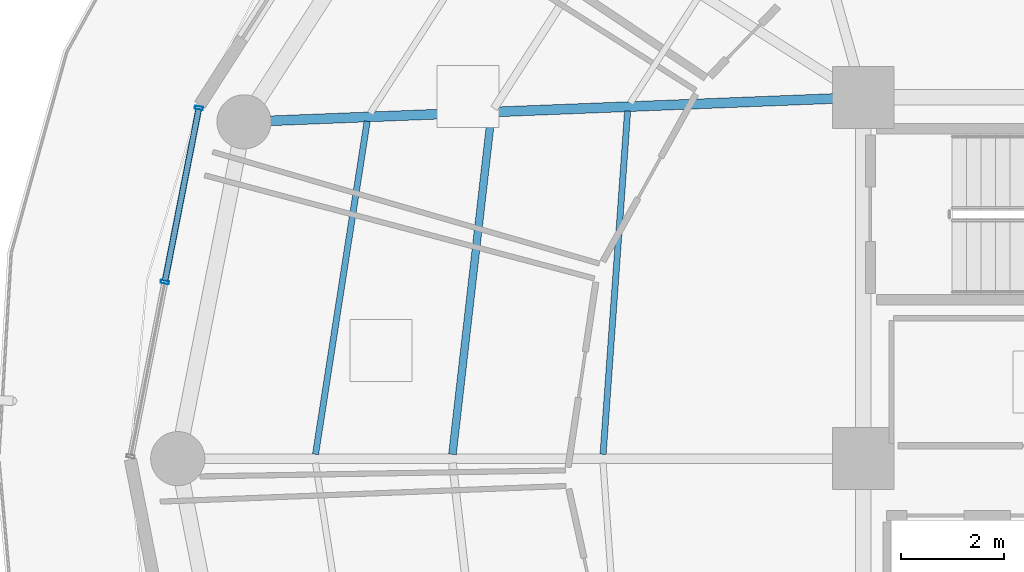
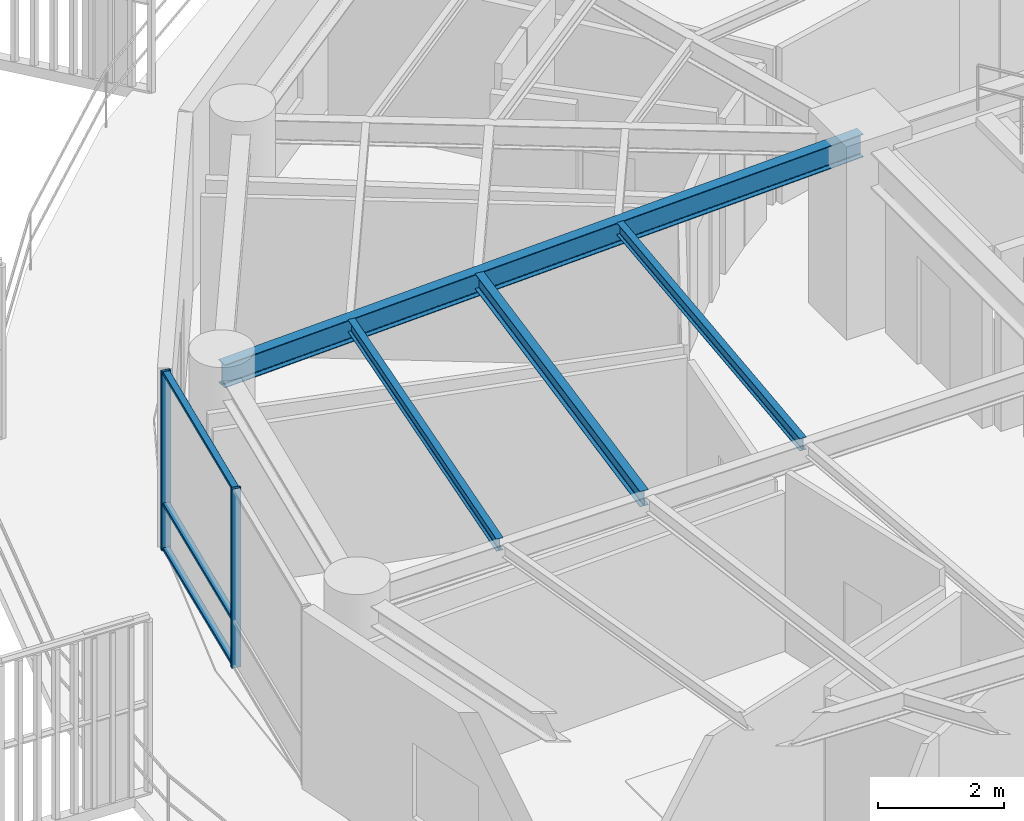
# One storey, part 8 of 30: 5 members, 4 beams, 1 element without a shape of its own.
"""IFC4 building model written with IfcOpenShell, lengths in metres."""

from ifc_helpers import new_model, si_unit, direction, frame, origin, origin_2d, place, context, subcontext, project, spatial, hollow_rectangle, i_section, extrude, material, layer, layer_set, material_profile, profile_set, type_object, element, aggregate, save


model = new_model("IFC4")

# Units and contexts
model_context = context("Model", 3, precision=1e-05, world=origin(), true_north=direction((0.0, 1.0)))
body_context = subcontext(model_context, "Body", "Model", "MODEL_VIEW")
ifc_project = project(units=[si_unit("LENGTHUNIT", "METRE"), si_unit("AREAUNIT", "SQUARE_METRE"), si_unit("VOLUMEUNIT", "CUBIC_METRE"), si_unit("PLANEANGLEUNIT", "RADIAN"), si_unit("MASSUNIT", "GRAM", prefix="KILO")], contexts=[model_context])

# Site, building, storey
site_placement = place(None, origin())
site = spatial("IfcSite", under=ifc_project, at=site_placement, CompositionType="ELEMENT")
building_placement = place(site_placement, origin())
building = spatial("IfcBuilding", under=site, at=building_placement, Name="Kelanora Arch Commons", CompositionType="ELEMENT")
storey_placement = place(building_placement, frame((0.0, 0.0, 208.199951171875)))
storey = spatial("IfcBuildingStorey", under=building, at=storey_placement, Name="L53", CompositionType="ELEMENT", Elevation=208.199951171875)

# Beams
ifc_material_1 = material(Name="Steel S355", Category="steel")
ifc_material_profile_1 = material_profile(ifc_material_1, i_section(OverallWidth=0.14990234375, OverallDepth=0.300048828125, WebThickness=0.007080078125, FlangeThickness=0.0107421875, FilletRadius=0.014892578125, at=origin_2d()), Name="IPE300")
ifc_profile_set_1 = profile_set([ifc_material_profile_1], Name="Steel S355")
beam_type_1 = type_object("IfcBeamType", Name="BM-JST-01", PredefinedType="JOIST", material=ifc_profile_set_1)
beam_1_placement = place(storey_placement, frame((58.792236328125, 64.631103515625, 3.340087890625), z_axis=(-0.113891408177, -0.993493204377, 0.0), x_axis=(0.993493204377, -0.113891408177, 0.0)))
element("IfcBeam", 1, at=beam_1_placement, inside=storey, type_object=beam_type_1, Name="Secondary Chord Joist BJB-16 L53", PredefinedType="JOIST", context=body_context, shape_type="SweptSolid", body=[
    extrude(i_section(OverallWidth=0.14990234375, OverallDepth=0.300048828125, WebThickness=0.007080078125, FlangeThickness=0.0107421875, FilletRadius=0.014892578125, at=origin_2d()), origin(), (0.0, 0.0, 1.0), 6.589599609375),
])
ifc_material_profile_2 = material_profile(ifc_material_1, i_section(OverallWidth=0.1201171875, OverallDepth=0.239990234375, WebThickness=0.006103515625, FlangeThickness=0.009765625, FilletRadius=0.014892578125, at=origin_2d()), Name="IPE240")
ifc_profile_set_2 = profile_set([ifc_material_profile_2], Name="Steel S355")
beam_type_2 = type_object("IfcBeamType", Name="BM-JST-02", PredefinedType="JOIST", material=ifc_profile_set_2)
beam_2_placement = place(storey_placement, frame((61.435302734375, 64.735107421875, 3.3701171875), z_axis=(-0.07133032136, -0.997452748382, 0.0), x_axis=(0.997452748382, -0.07133032136, 0.0)))
element("IfcBeam", 2, at=beam_2_placement, inside=storey, type_object=beam_type_2, Name="Secondary Chord Joist BJA-16 L53", PredefinedType="JOIST", context=body_context, shape_type="SweptSolid", body=[
    extrude(i_section(OverallWidth=0.1201171875, OverallDepth=0.239990234375, WebThickness=0.006103515625, FlangeThickness=0.009765625, FilletRadius=0.014892578125, at=origin_2d()), origin(), (0.0, 0.0, 1.0), 6.66748046875),
])
beam_3_placement = place(storey_placement, frame((56.3896484375, 64.53662109375, 3.3701171875), z_axis=(-0.153256756152, -0.988186402808, 0.0), x_axis=(0.988186402808, -0.153256756152, 0.0)))
element("IfcBeam", 3, at=beam_3_placement, inside=storey, type_object=beam_type_2, Name="Secondary Chord Joist BJC-16 L53", PredefinedType="JOIST", context=body_context, shape_type="SweptSolid", body=[
    extrude(i_section(OverallWidth=0.1201171875, OverallDepth=0.239990234375, WebThickness=0.006103515625, FlangeThickness=0.009765625, FilletRadius=0.014892578125, at=origin_2d()), origin(), (0.0, 0.0, 1.0), 6.52978515625),
])
ifc_material_profile_3 = material_profile(ifc_material_1, i_section(OverallWidth=0.18994140625, OverallDepth=0.449951171875, WebThickness=0.009521484375, FlangeThickness=0.0146484375, FilletRadius=0.02099609375, at=origin_2d()), Name="IPE450")
ifc_profile_set_3 = profile_set([ifc_material_profile_3], Name="Steel S355")
beam_type_3 = type_object("IfcBeamType", Name="BM-RAD-Z4", PredefinedType="BEAM", material=ifc_profile_set_3)
beam_4_placement = place(storey_placement, frame((66.0, 65.0, 3.26513671875), z_axis=(-0.999219142585, -0.03951082246, 0.0), x_axis=(0.03951082246, -0.999219142585, 0.0)))
element("IfcBeam", 4, at=beam_4_placement, inside=storey, type_object=beam_type_3, Name="Radial Floor Girder BR-16 L53", PredefinedType="BEAM", context=body_context, shape_type="SweptSolid", body=[
    extrude(i_section(OverallWidth=0.18994140625, OverallDepth=0.449951171875, WebThickness=0.009521484375, FlangeThickness=0.0146484375, FilletRadius=0.02099609375, at=origin_2d()), origin(), (0.0, 0.0, 1.0), 12.005859375),
])

# Curtain wall, members
ifc_material_2 = material(Name="Terracotta ceramic-fritted low-E glass and aluminium", Category="masonry")
ifc_layer = layer(ifc_material_2, 0.175048828125)
ifc_layer_set = layer_set([ifc_layer], Name="Terracotta ceramic-fritted low-E glass and aluminium")
curtain_wall_type = type_object("IfcCurtainWallType", Name="CW-SYS-02", PredefinedType="NOTDEFINED", material=ifc_layer_set)
curtain_wall_placement = place(storey_placement, origin())
curtain_wall = element("IfcCurtainWall", 5, at=curtain_wall_placement, inside=storey, type_object=curtain_wall_type, Name="Unitised Curtain Wall L53-B08", PredefinedType="NOTDEFINED")
ifc_material_3 = material(Name="Powder-coated aluminium terracotta", Category="masonry")
ifc_material_profile_4 = material_profile(ifc_material_3, hollow_rectangle(XDim=0.159912109375, YDim=0.06005859375, WallThickness=0.0048828125, InnerFilletRadius=0.0048828125, OuterFilletRadius=0.010009765625, at=origin_2d()), Name="CWM160x60")
ifc_profile_set_4 = profile_set([ifc_material_profile_4], Name="Powder-coated aluminium terracotta")
member_type_1 = type_object("IfcMemberType", Name="CWM-STD", PredefinedType="MULLION", material=ifc_profile_set_4)
member_1_placement = place(storey_placement, frame((53.130126953125, 64.796142578125, 0.0), z_axis=(0.0, 0.0, 1.0), x_axis=(0.981381438349, -0.192068926335, 0.0)))
member_1 = element("IfcMember", 6, at=member_1_placement, type_object=member_type_1, Name="CW-02 mullion 1", PredefinedType="MULLION", context=body_context, shape_type="SweptSolid", body=[
    extrude(hollow_rectangle(XDim=0.159912109375, YDim=0.06005859375, WallThickness=0.0048828125, InnerFilletRadius=0.0048828125, OuterFilletRadius=0.010009765625, at=origin_2d()), origin(), (0.0, 0.0, 1.0), 3.47509765625),
])
member_2_placement = place(storey_placement, frame((52.469482421875, 61.420166015625, 0.0), z_axis=(0.0, 0.0, 1.0), x_axis=(0.981381438349, -0.192068926335, 0.0)))
member_2 = element("IfcMember", 7, at=member_2_placement, type_object=member_type_1, Name="CW-02 mullion 2", PredefinedType="MULLION", context=body_context, shape_type="SweptSolid", body=[
    extrude(hollow_rectangle(XDim=0.159912109375, YDim=0.06005859375, WallThickness=0.0048828125, InnerFilletRadius=0.0048828125, OuterFilletRadius=0.010009765625, at=origin_2d()), origin(), (0.0, 0.0, 1.0), 3.47509765625),
])
ifc_material_profile_5 = material_profile(ifc_material_3, hollow_rectangle(XDim=0.1201171875, YDim=0.06005859375, WallThickness=0.0048828125, InnerFilletRadius=0.0048828125, OuterFilletRadius=0.010009765625, at=origin_2d()), Name="CWT120x60")
ifc_profile_set_5 = profile_set([ifc_material_profile_5], Name="Powder-coated aluminium terracotta")
member_type_2 = type_object("IfcMemberType", Name="CWT-STD", PredefinedType="USERDEFINED", material=ifc_profile_set_5)
member_3_placement = place(storey_placement, frame((53.124267578125, 64.766845703125, 0.030029296875), z_axis=(-0.192058488005, -0.981383481207, 0.0), x_axis=(0.981383481207, -0.192058488005, 0.0)))
member_3 = element("IfcMember", 8, at=member_3_placement, type_object=member_type_2, Name="CW-02 transom 1.1", ObjectType="TRANSOM", PredefinedType="USERDEFINED", context=body_context, shape_type="SweptSolid", body=[
    extrude(hollow_rectangle(XDim=0.1201171875, YDim=0.06005859375, WallThickness=0.0048828125, InnerFilletRadius=0.0048828125, OuterFilletRadius=0.010009765625, at=origin_2d()), origin(), (0.0, 0.0, 1.0), 3.380126953125),
])
member_4_placement = place(storey_placement, frame((53.124267578125, 64.766845703125, 0.900146484375), z_axis=(-0.192058488005, -0.981383481207, 0.0), x_axis=(0.981383481207, -0.192058488005, 0.0)))
member_4 = element("IfcMember", 9, at=member_4_placement, type_object=member_type_2, Name="CW-02 transom 1.2", ObjectType="TRANSOM", PredefinedType="USERDEFINED", context=body_context, shape_type="SweptSolid", body=[
    extrude(hollow_rectangle(XDim=0.1201171875, YDim=0.06005859375, WallThickness=0.0048828125, InnerFilletRadius=0.0048828125, OuterFilletRadius=0.010009765625, at=origin_2d()), origin(), (0.0, 0.0, 1.0), 3.380126953125),
])
member_5_placement = place(storey_placement, frame((53.124267578125, 64.766845703125, 3.445068359375), z_axis=(-0.192058488005, -0.981383481207, 0.0), x_axis=(0.981383481207, -0.192058488005, 0.0)))
member_5 = element("IfcMember", 10, at=member_5_placement, type_object=member_type_2, Name="CW-02 transom 1.3", ObjectType="TRANSOM", PredefinedType="USERDEFINED", context=body_context, shape_type="SweptSolid", body=[
    extrude(hollow_rectangle(XDim=0.1201171875, YDim=0.06005859375, WallThickness=0.0048828125, InnerFilletRadius=0.0048828125, OuterFilletRadius=0.010009765625, at=origin_2d()), origin(), (0.0, 0.0, 1.0), 3.380126953125),
])
aggregate(curtain_wall, [member_1, member_2, member_3, member_4, member_5])

save(model, "model.ifc")
